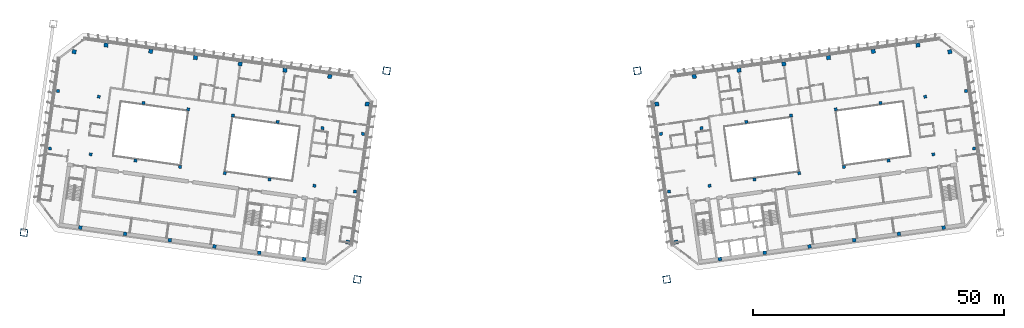
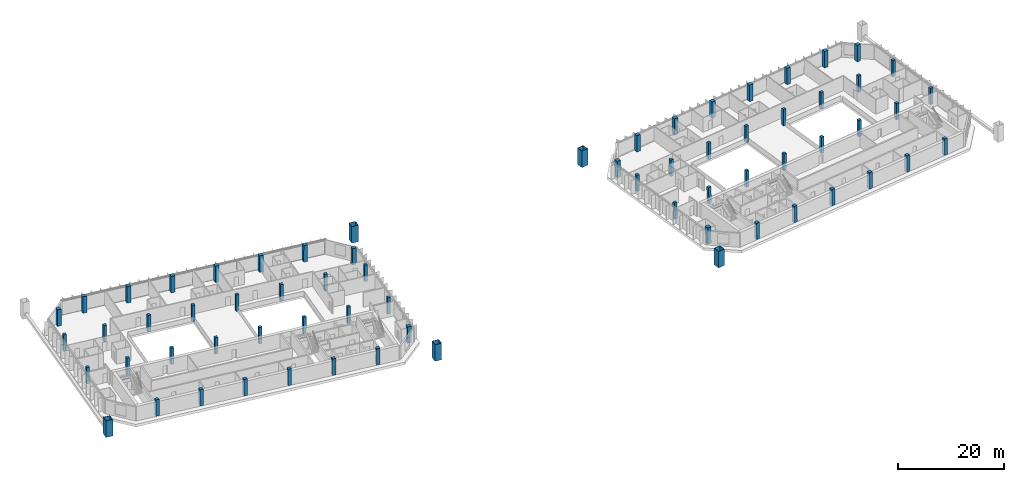
# One storey, part 1 of 31: 66 columns, 1 member.
"""IFC4 building model written with IfcOpenShell, lengths in metres."""

from ifc_helpers import new_model, si_unit, direction, frame, origin, origin_2d, place, context, subcontext, project, spatial, rectangle, hollow_rectangle, extrude, material, material_profile, profile_set, type_object, element, save


model = new_model("IFC4")

# Units and contexts
model_context = context("Model", 3, precision=1e-05, world=origin(), true_north=direction((0.0, 1.0)))
body_context = subcontext(model_context, "Body", "Model", "MODEL_VIEW")
ifc_project = project(units=[si_unit("LENGTHUNIT", "METRE"), si_unit("AREAUNIT", "SQUARE_METRE"), si_unit("VOLUMEUNIT", "CUBIC_METRE"), si_unit("PLANEANGLEUNIT", "RADIAN"), si_unit("MASSUNIT", "GRAM", prefix="KILO")], contexts=[model_context])

# Site, building, storey
site_placement = place(None, origin())
site = spatial("IfcSite", under=ifc_project, at=site_placement, CompositionType="ELEMENT")
building_placement = place(site_placement, origin())
building = spatial("IfcBuilding", under=site, at=building_placement, Name="Mirante Cascada Hotel Towers", CompositionType="ELEMENT")
storey_placement = place(building_placement, frame((0.0, 0.0, 157.4)))
storey = spatial("IfcBuildingStorey", under=building, at=storey_placement, Name="L36", CompositionType="ELEMENT", Elevation=157.4)

# Columns
ifc_material_1 = material(Name="Steel ASTM A572 Gr 50", Category="steel")
ifc_material_profile_1 = material_profile(ifc_material_1, hollow_rectangle(XDim=1.4, YDim=1.4, WallThickness=0.06, at=origin_2d()), Name="Box column 1400x1400x60 ASTM A572 Gr 50")
ifc_profile_set_1 = profile_set([ifc_material_profile_1], Name="Steel ASTM A572 Gr 50")
column_type_1 = type_object("IfcColumnType", Name="Box column 1400x1400x60 ASTM A572 Gr 50", PredefinedType="COLUMN", material=ifc_profile_set_1)
for number, where, z_axis, x_axis, name in (
    (1, (-24.9956, 18.5031, 0.0), (0.0, 0.0, 1.0), (-0.9902681, 0.1391731, 0.0), "Mega column MC1 T1 L36"),
    (2, (-30.8409, -23.0882, 0.0), (0.0, 0.0, 1.0), (-0.9902681, 0.1391731, 0.0), "Mega column MC2 T1 L36"),
    (3, (24.9956, 18.5031, 0.0), (0.0, 0.0, 1.0), (0.9902681, 0.1391731, 0.0), "Mega column MC1 T2 L36"),
    (4, (30.8409, -23.0882, 0.0), (0.0, 0.0, 1.0), (0.9902681, 0.1391731, 0.0), "Mega column MC2 T2 L36"),
):
    element("IfcColumn", number, at=place(storey_placement, frame(where, z_axis=z_axis, x_axis=x_axis)), inside=storey, type_object=column_type_1, Name=name, PredefinedType="COLUMN", context=body_context, shape_type="SweptSolid", body=[
        extrude(hollow_rectangle(XDim=1.4, YDim=1.4, WallThickness=0.06, at=origin_2d()), origin(), (0.0, 0.0, 1.0), 3.8),
    ])
ifc_material_2 = material(Name="Concrete C50/60", Category="concrete")
ifc_material_profile_2 = material_profile(ifc_material_2, rectangle(XDim=0.6, YDim=0.6, at=origin_2d()), Name="RC column 600x600 C50/60")
ifc_profile_set_2 = profile_set([ifc_material_profile_2], Name="Concrete C50/60")
column_type_2 = type_object("IfcColumnType", Name="RC column 600x600 C50/60", PredefinedType="COLUMN", material=ifc_profile_set_2)
for number, where, z_axis, x_axis, name in (
    (5, (-29.7075, 5.9365, 0.0065), (0.0132196, -0.001847, 0.9999109), (0.1383764, 0.9903797, 0.0), "Column T1 L36 2"),
    (6, (-31.3219, -5.5506, 0.0065), (0.0132196, -0.001847, 0.9999109), (0.1383764, 0.9903797, 0.0), "Column T1 L36 3"),
):
    element("IfcColumn", number, at=place(storey_placement, frame(where, z_axis=z_axis, x_axis=x_axis)), inside=storey, type_object=column_type_2, Name=name, PredefinedType="COLUMN", context=body_context, shape_type="SweptSolid", body=[
        extrude(rectangle(XDim=0.6, YDim=0.6, at=origin_2d()), origin(), (0.0, 0.0, 1.0), 3.7898),
    ])
for number, where, z_axis, x_axis, name in (
    (7, (-37.7893, 7.0724, 0.004), (0.0115498, -0.0016349, 0.999932), (0.1401553, 0.9901295, 0.0), "Column T1 L36 6"),
    (8, (-39.4037, -4.4148, 0.004), (0.0115498, -0.0016085, 0.999932), (0.1379381, 0.9904409, 0.0), "Column T1 L36 7"),
):
    element("IfcColumn", number, at=place(storey_placement, frame(where, z_axis=z_axis, x_axis=x_axis)), inside=storey, type_object=column_type_2, Name=name, PredefinedType="COLUMN", context=body_context, shape_type="SweptSolid", body=[
        extrude(rectangle(XDim=0.6, YDim=0.6, at=origin_2d()), origin(), (0.0, 0.0, 1.0), 3.7923),
    ])
for number, where, z_axis, x_axis, name in (
    (9, (-46.7135, 8.3266, 0.004), (0.0057752, -0.0008175, 0.999983), (0.1401553, 0.9901295, 0.0), "Column T1 L36 10"),
    (10, (-48.3279, -3.1605, 0.004), (0.0057488, -0.0008175, 0.9999831), (0.1407855, 0.9900401, 0.0), "Column T1 L36 11"),
):
    element("IfcColumn", number, at=place(storey_placement, frame(where, z_axis=z_axis, x_axis=x_axis)), inside=storey, type_object=column_type_2, Name=name, PredefinedType="COLUMN", context=body_context, shape_type="SweptSolid", body=[
        extrude(rectangle(XDim=0.6, YDim=0.6, at=origin_2d()), origin(), (0.0, 0.0, 1.0), 3.7921),
    ])
for number, where, z_axis, x_axis, name in (
    (11, (-55.6378, 9.5808, 0.0), (0.0, 0.0, 1.0), (-0.9902681, 0.1391731, 0.0), "Column T1 L36 14"),
    (12, (-57.2522, -1.9063, 0.0), (0.0, 0.0, 1.0), (-0.9902681, 0.1391731, 0.0), "Column T1 L36 15"),
    (13, (-64.5502, 10.8333, 0.0), (0.0, 0.0, 1.0), (-0.9902681, 0.1391731, 0.0), "Column T1 L36 18"),
    (14, (-66.1646, -0.6538, 0.0), (0.0, 0.0, 1.0), (-0.9902681, 0.1391731, 0.0), "Column T1 L36 19"),
    (15, (-73.4626, 12.0859, 0.0), (0.0, 0.0, 1.0), (-0.9902681, 0.1391731, 0.0), "Column T1 L36 22"),
    (16, (-75.077, 0.5988, 0.0), (0.0, 0.0, 1.0), (-0.9902681, 0.1391731, 0.0), "Column T1 L36 23"),
    (17, (-82.375, 13.3385, 0.0), (0.0, 0.0, 1.0), (-0.9902681, 0.1391731, 0.0), "Column T1 L36 26"),
    (18, (-83.9894, 1.8514, 0.0), (0.0, 0.0, 1.0), (-0.9902681, 0.1391731, 0.0), "Column T1 L36 27"),
    (19, (-90.4952, 14.4797, 0.0), (0.0, 0.0, 1.0), (-0.9902681, 0.1391731, 0.0), "Column T1 L36 30"),
    (20, (-92.1096, 2.9926, 0.0), (0.0, 0.0, 1.0), (-0.9902681, 0.1391731, 0.0), "Column T1 L36 31"),
):
    element("IfcColumn", number, at=place(storey_placement, frame(where, z_axis=z_axis, x_axis=x_axis)), inside=storey, type_object=column_type_2, Name=name, PredefinedType="COLUMN", context=body_context, shape_type="SweptSolid", body=[
        extrude(rectangle(XDim=0.6, YDim=0.6, at=origin_2d()), origin(), (0.0, 0.0, 1.0), 3.8),
    ])
for number, where, z_axis, x_axis, name in (
    (21, (29.7075, 5.9365, 0.0065), (-0.0132196, -0.001847, 0.9999109), (0.1383764, -0.9903797, 0.0), "Column T2 L36 2"),
    (22, (31.3219, -5.5506, 0.0065), (-0.0132196, -0.001847, 0.9999109), (0.1383764, -0.9903797, 0.0), "Column T2 L36 3"),
):
    element("IfcColumn", number, at=place(storey_placement, frame(where, z_axis=z_axis, x_axis=x_axis)), inside=storey, type_object=column_type_2, Name=name, PredefinedType="COLUMN", context=body_context, shape_type="SweptSolid", body=[
        extrude(rectangle(XDim=0.6, YDim=0.6, at=origin_2d()), origin(), (0.0, 0.0, 1.0), 3.7898),
    ])
for number, where, z_axis, x_axis, name in (
    (23, (37.7893, 7.0724, 0.004), (-0.0115498, -0.0016349, 0.999932), (0.1401553, -0.9901295, 0.0), "Column T2 L36 6"),
    (24, (39.4037, -4.4148, 0.004), (-0.0115498, -0.0016085, 0.999932), (0.1379381, -0.9904409, 0.0), "Column T2 L36 7"),
):
    element("IfcColumn", number, at=place(storey_placement, frame(where, z_axis=z_axis, x_axis=x_axis)), inside=storey, type_object=column_type_2, Name=name, PredefinedType="COLUMN", context=body_context, shape_type="SweptSolid", body=[
        extrude(rectangle(XDim=0.6, YDim=0.6, at=origin_2d()), origin(), (0.0, 0.0, 1.0), 3.7923),
    ])
for number, where, z_axis, x_axis, name in (
    (25, (46.7135, 8.3266, 0.004), (-0.0057752, -0.0008175, 0.999983), (0.1401553, -0.9901295, 0.0), "Column T2 L36 10"),
    (26, (48.3279, -3.1605, 0.004), (-0.0057488, -0.0008175, 0.9999831), (0.1407855, -0.9900401, 0.0), "Column T2 L36 11"),
):
    element("IfcColumn", number, at=place(storey_placement, frame(where, z_axis=z_axis, x_axis=x_axis)), inside=storey, type_object=column_type_2, Name=name, PredefinedType="COLUMN", context=body_context, shape_type="SweptSolid", body=[
        extrude(rectangle(XDim=0.6, YDim=0.6, at=origin_2d()), origin(), (0.0, 0.0, 1.0), 3.7921),
    ])
for number, where, z_axis, x_axis, name in (
    (27, (55.6378, 9.5808, 0.0), (0.0, 0.0, 1.0), (0.9902681, 0.1391731, 0.0), "Column T2 L36 14"),
    (28, (57.2522, -1.9063, 0.0), (0.0, 0.0, 1.0), (0.9902681, 0.1391731, 0.0), "Column T2 L36 15"),
    (29, (64.5502, 10.8333, 0.0), (0.0, 0.0, 1.0), (0.9902681, 0.1391731, 0.0), "Column T2 L36 18"),
    (30, (66.1646, -0.6538, 0.0), (0.0, 0.0, 1.0), (0.9902681, 0.1391731, 0.0), "Column T2 L36 19"),
    (31, (73.4626, 12.0859, 0.0), (0.0, 0.0, 1.0), (0.9902681, 0.1391731, 0.0), "Column T2 L36 22"),
    (32, (75.077, 0.5988, 0.0), (0.0, 0.0, 1.0), (0.9902681, 0.1391731, 0.0), "Column T2 L36 23"),
    (33, (82.375, 13.3385, 0.0), (0.0, 0.0, 1.0), (0.9902681, 0.1391731, 0.0), "Column T2 L36 26"),
    (34, (83.9894, 1.8514, 0.0), (0.0, 0.0, 1.0), (0.9902681, 0.1391731, 0.0), "Column T2 L36 27"),
    (35, (90.4952, 14.4797, 0.0), (0.0, 0.0, 1.0), (0.9902681, 0.1391731, 0.0), "Column T2 L36 30"),
    (36, (92.1096, 2.9926, 0.0), (0.0, 0.0, 1.0), (0.9902681, 0.1391731, 0.0), "Column T2 L36 31"),
):
    element("IfcColumn", number, at=place(storey_placement, frame(where, z_axis=z_axis, x_axis=x_axis)), inside=storey, type_object=column_type_2, Name=name, PredefinedType="COLUMN", context=body_context, shape_type="SweptSolid", body=[
        extrude(rectangle(XDim=0.6, YDim=0.6, at=origin_2d()), origin(), (0.0, 0.0, 1.0), 3.8),
    ])
ifc_material_3 = material(Name="Concrete C50/60", Category="concrete")
ifc_material_profile_3 = material_profile(ifc_material_3, rectangle(XDim=0.7, YDim=0.7, at=origin_2d()), Name="RC column 700x700 C50/60")
ifc_profile_set_3 = profile_set([ifc_material_profile_3], Name="Concrete C50/60")
column_type_3 = type_object("IfcColumnType", Name="RC column 700x700 C50/60", PredefinedType="COLUMN", material=ifc_profile_set_3)
column_1_placement = place(storey_placement, frame((-41.4565, -19.0212, 0.004), z_axis=(0.0115498, -0.0016349, 0.999932), x_axis=(0.1401553, 0.9901295, 0.0)))
element("IfcColumn", 37, at=column_1_placement, inside=storey, type_object=column_type_3, Name="Column T1 L36 8", PredefinedType="COLUMN", context=body_context, shape_type="SweptSolid", body=[
    extrude(rectangle(XDim=0.7, YDim=0.7, at=origin_2d()), origin(), (0.0, 0.0, 1.0), 3.7923),
])
column_2_placement = place(storey_placement, frame((-50.3807, -17.767, 0.004), z_axis=(0.0057488, -0.0008175, 0.9999831), x_axis=(0.1407855, 0.9900401, 0.0)))
element("IfcColumn", 38, at=column_2_placement, inside=storey, type_object=column_type_3, Name="Column T1 L36 12", PredefinedType="COLUMN", context=body_context, shape_type="SweptSolid", body=[
    extrude(rectangle(XDim=0.7, YDim=0.7, at=origin_2d()), origin(), (0.0, 0.0, 1.0), 3.7921),
])
for number, where, z_axis, x_axis, name in (
    (39, (-59.305, -16.5128, 0.0), (0.0, 0.0, 1.0), (-0.9902681, 0.1391731, 0.0), "Column T1 L36 16"),
    (40, (-68.2174, -15.2602, 0.0), (0.0, 0.0, 1.0), (-0.9902681, 0.1391731, 0.0), "Column T1 L36 20"),
    (41, (-77.1298, -14.0077, 0.0), (0.0, 0.0, 1.0), (-0.9902681, 0.1391731, 0.0), "Column T1 L36 24"),
    (42, (-86.0422, -12.7551, 0.0), (0.0, 0.0, 1.0), (-0.9902681, 0.1391731, 0.0), "Column T1 L36 28"),
):
    element("IfcColumn", number, at=place(storey_placement, frame(where, z_axis=z_axis, x_axis=x_axis)), inside=storey, type_object=column_type_3, Name=name, PredefinedType="COLUMN", context=body_context, shape_type="SweptSolid", body=[
        extrude(rectangle(XDim=0.7, YDim=0.7, at=origin_2d()), origin(), (0.0, 0.0, 1.0), 3.8),
    ])
column_3_placement = place(storey_placement, frame((41.4565, -19.0212, 0.004), z_axis=(-0.0115498, -0.0016349, 0.999932), x_axis=(0.1401553, -0.9901295, 0.0)))
element("IfcColumn", 43, at=column_3_placement, inside=storey, type_object=column_type_3, Name="Column T2 L36 8", PredefinedType="COLUMN", context=body_context, shape_type="SweptSolid", body=[
    extrude(rectangle(XDim=0.7, YDim=0.7, at=origin_2d()), origin(), (0.0, 0.0, 1.0), 3.7923),
])
column_4_placement = place(storey_placement, frame((50.3807, -17.767, 0.004), z_axis=(-0.0057488, -0.0008175, 0.9999831), x_axis=(0.1407855, -0.9900401, 0.0)))
element("IfcColumn", 44, at=column_4_placement, inside=storey, type_object=column_type_3, Name="Column T2 L36 12", PredefinedType="COLUMN", context=body_context, shape_type="SweptSolid", body=[
    extrude(rectangle(XDim=0.7, YDim=0.7, at=origin_2d()), origin(), (0.0, 0.0, 1.0), 3.7921),
])
for number, where, z_axis, x_axis, name in (
    (45, (59.305, -16.5128, 0.0), (0.0, 0.0, 1.0), (0.9902681, 0.1391731, 0.0), "Column T2 L36 16"),
    (46, (68.2174, -15.2602, 0.0), (0.0, 0.0, 1.0), (0.9902681, 0.1391731, 0.0), "Column T2 L36 20"),
    (47, (77.1298, -14.0077, 0.0), (0.0, 0.0, 1.0), (0.9902681, 0.1391731, 0.0), "Column T2 L36 24"),
    (48, (86.0422, -12.7551, 0.0), (0.0, 0.0, 1.0), (0.9902681, 0.1391731, 0.0), "Column T2 L36 28"),
):
    element("IfcColumn", number, at=place(storey_placement, frame(where, z_axis=z_axis, x_axis=x_axis)), inside=storey, type_object=column_type_3, Name=name, PredefinedType="COLUMN", context=body_context, shape_type="SweptSolid", body=[
        extrude(rectangle(XDim=0.7, YDim=0.7, at=origin_2d()), origin(), (0.0, 0.0, 1.0), 3.8),
    ])
ifc_material_4 = material(Name="Concrete C50/60", Category="concrete")
ifc_material_profile_4 = material_profile(ifc_material_4, rectangle(XDim=0.8, YDim=0.8, at=origin_2d()), Name="RC column 800x800 C50/60")
ifc_profile_set_4 = profile_set([ifc_material_profile_4], Name="Concrete C50/60")
column_type_4 = type_object("IfcColumnType", Name="RC column 800x800 C50/60", PredefinedType="COLUMN", material=ifc_profile_set_4)
for number, where, z_axis, x_axis, name in (
    (49, (-28.8725, 11.8781, 0.0075), (0.0132231, -0.0018475, 0.9999109), (0.1383764, 0.9903797, 0.0), "Column T1 L36 1"),
    (50, (-32.7415, -15.6513, 0.0075), (0.0132231, -0.0018739, 0.9999108), (0.1403146, 0.990107, 0.0), "Column T1 L36 4"),
):
    element("IfcColumn", number, at=place(storey_placement, frame(where, z_axis=z_axis, x_axis=x_axis)), inside=storey, type_object=column_type_4, Name=name, PredefinedType="COLUMN", context=body_context, shape_type="SweptSolid", body=[
        extrude(rectangle(XDim=0.8, YDim=0.8, at=origin_2d()), origin(), (0.0, 0.0, 1.0), 3.7888),
    ])
column_5_placement = place(storey_placement, frame((-36.3419, 17.3711, 0.004), z_axis=(0.0115498, -0.0016085, 0.999932), x_axis=(0.1379381, 0.9904409, 0.0)))
element("IfcColumn", 51, at=column_5_placement, inside=storey, type_object=column_type_4, Name="Column T1 L36 5", PredefinedType="COLUMN", context=body_context, shape_type="SweptSolid", body=[
    extrude(rectangle(XDim=0.8, YDim=0.8, at=origin_2d()), origin(), (0.0, 0.0, 1.0), 3.7923),
])
column_6_placement = place(storey_placement, frame((-45.2661, 18.6254, 0.004), z_axis=(0.0057752, -0.0008175, 0.999983), x_axis=(0.1401553, 0.9901295, 0.0)))
element("IfcColumn", 52, at=column_6_placement, inside=storey, type_object=column_type_4, Name="Column T1 L36 9", PredefinedType="COLUMN", context=body_context, shape_type="SweptSolid", body=[
    extrude(rectangle(XDim=0.8, YDim=0.8, at=origin_2d()), origin(), (0.0, 0.0, 1.0), 3.7921),
])
for number, where, z_axis, x_axis, name in (
    (53, (-54.1904, 19.8796, 0.0), (0.0, 0.0, 1.0), (-0.9902681, 0.1391731, 0.0), "Column T1 L36 13"),
    (54, (-63.1028, 21.1321, 0.0), (0.0, 0.0, 1.0), (-0.9902681, 0.1391731, 0.0), "Column T1 L36 17"),
    (55, (-72.0152, 22.3847, 0.0), (0.0, 0.0, 1.0), (-0.9902681, 0.1391731, 0.0), "Column T1 L36 21"),
    (56, (-80.9276, 23.6373, 0.0), (0.0, 0.0, 1.0), (-0.9902681, 0.1391731, 0.0), "Column T1 L36 25"),
    (57, (-87.2744, 22.3076, 0.0), (0.0, 0.0, 1.0), (-0.9902681, 0.1391731, 0.0), "Column T1 L36 29"),
):
    element("IfcColumn", number, at=place(storey_placement, frame(where, z_axis=z_axis, x_axis=x_axis)), inside=storey, type_object=column_type_4, Name=name, PredefinedType="COLUMN", context=body_context, shape_type="SweptSolid", body=[
        extrude(rectangle(XDim=0.8, YDim=0.8, at=origin_2d()), origin(), (0.0, 0.0, 1.0), 3.8),
    ])
for number, where, z_axis, x_axis, name in (
    (58, (28.8725, 11.8781, 0.0075), (-0.0132231, -0.0018475, 0.9999109), (0.1383764, -0.9903797, 0.0), "Column T2 L36 1"),
    (59, (32.7415, -15.6513, 0.0075), (-0.0132231, -0.0018739, 0.9999108), (0.1403146, -0.990107, 0.0), "Column T2 L36 4"),
):
    element("IfcColumn", number, at=place(storey_placement, frame(where, z_axis=z_axis, x_axis=x_axis)), inside=storey, type_object=column_type_4, Name=name, PredefinedType="COLUMN", context=body_context, shape_type="SweptSolid", body=[
        extrude(rectangle(XDim=0.8, YDim=0.8, at=origin_2d()), origin(), (0.0, 0.0, 1.0), 3.7888),
    ])
column_7_placement = place(storey_placement, frame((36.3419, 17.3711, 0.004), z_axis=(-0.0115498, -0.0016085, 0.999932), x_axis=(0.1379381, -0.9904409, 0.0)))
element("IfcColumn", 60, at=column_7_placement, inside=storey, type_object=column_type_4, Name="Column T2 L36 5", PredefinedType="COLUMN", context=body_context, shape_type="SweptSolid", body=[
    extrude(rectangle(XDim=0.8, YDim=0.8, at=origin_2d()), origin(), (0.0, 0.0, 1.0), 3.7923),
])
column_8_placement = place(storey_placement, frame((45.2661, 18.6254, 0.004), z_axis=(-0.0057752, -0.0008175, 0.999983), x_axis=(0.1401553, -0.9901295, 0.0)))
element("IfcColumn", 61, at=column_8_placement, inside=storey, type_object=column_type_4, Name="Column T2 L36 9", PredefinedType="COLUMN", context=body_context, shape_type="SweptSolid", body=[
    extrude(rectangle(XDim=0.8, YDim=0.8, at=origin_2d()), origin(), (0.0, 0.0, 1.0), 3.7921),
])
for number, where, z_axis, x_axis, name in (
    (62, (54.1904, 19.8796, 0.0), (0.0, 0.0, 1.0), (0.9902681, 0.1391731, 0.0), "Column T2 L36 13"),
    (63, (63.1028, 21.1321, 0.0), (0.0, 0.0, 1.0), (0.9902681, 0.1391731, 0.0), "Column T2 L36 17"),
    (64, (72.0152, 22.3847, 0.0), (0.0, 0.0, 1.0), (0.9902681, 0.1391731, 0.0), "Column T2 L36 21"),
    (65, (80.9276, 23.6373, 0.0), (0.0, 0.0, 1.0), (0.9902681, 0.1391731, 0.0), "Column T2 L36 25"),
    (66, (87.2744, 22.3076, 0.0), (0.0, 0.0, 1.0), (0.9902681, 0.1391731, 0.0), "Column T2 L36 29"),
):
    element("IfcColumn", number, at=place(storey_placement, frame(where, z_axis=z_axis, x_axis=x_axis)), inside=storey, type_object=column_type_4, Name=name, PredefinedType="COLUMN", context=body_context, shape_type="SweptSolid", body=[
        extrude(rectangle(XDim=0.8, YDim=0.8, at=origin_2d()), origin(), (0.0, 0.0, 1.0), 3.8),
    ])

# Member
ifc_material_5 = material(Name="Steel ASTM A572 Gr 50", Category="steel")
ifc_material_profile_5 = material_profile(ifc_material_5, hollow_rectangle(XDim=1.4, YDim=1.4, WallThickness=0.06, at=origin_2d()), Name="Box post 1400x1400x60 ASTM A572 Gr 50")
ifc_profile_set_5 = profile_set([ifc_material_profile_5], Name="Steel ASTM A572 Gr 50")
member_type = type_object("IfcMemberType", Name="Box post 1400x1400x60 ASTM A572 Gr 50", PredefinedType="POST", material=ifc_profile_set_5)
member_placement = place(storey_placement, frame((-97.2901, -13.7494, 0.0), z_axis=(0.0, 0.0, 1.0), x_axis=(-0.9902681, 0.1391731, 0.0)))
element("IfcMember", 67, at=member_placement, inside=storey, type_object=member_type, Name="Mega column MP4 T1 L36", PredefinedType="POST", context=body_context, shape_type="SweptSolid", body=[
    extrude(hollow_rectangle(XDim=1.4, YDim=1.4, WallThickness=0.06, at=origin_2d()), origin(), (0.0, 0.0, 1.0), 3.8),
])

save(model, "model.ifc")
